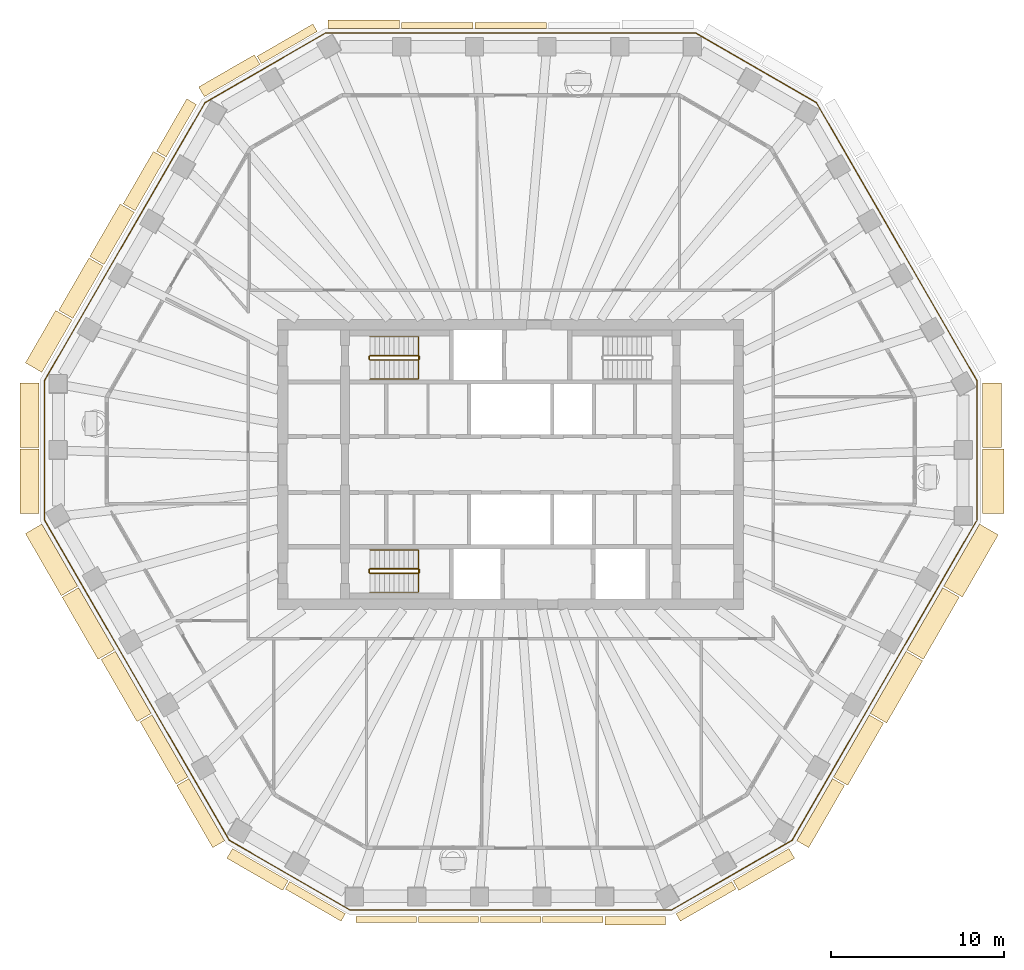
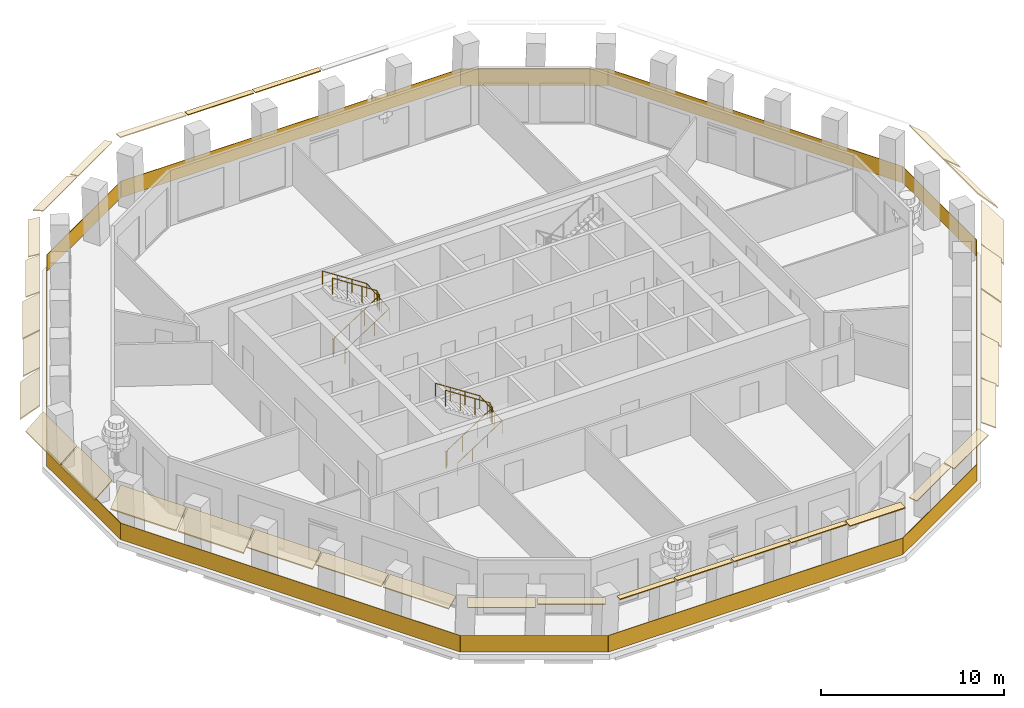
# One storey, part 9 of 12: 33 coverings, 5 railings.
"""IFC4 building model written with IfcOpenShell, lengths in metres."""

from ifc_helpers import new_model, si_unit, direction, frame, origin, origin_2d, place, context, subcontext, project, spatial, polyline, rectangle, circle, outline, extrude, material, layer, layer_set, type_object, element, save


model = new_model("IFC4")

# Units and contexts
model_context = context("Model", 3, precision=1e-05, world=origin(), true_north=direction((0.0, 1.0)))
body_context = subcontext(model_context, "Body", "Model", "MODEL_VIEW")
ifc_project = project(units=[si_unit("LENGTHUNIT", "METRE"), si_unit("AREAUNIT", "SQUARE_METRE"), si_unit("VOLUMEUNIT", "CUBIC_METRE"), si_unit("PLANEANGLEUNIT", "RADIAN"), si_unit("MASSUNIT", "GRAM", prefix="KILO")], contexts=[model_context])

# Site, building, storey
site_placement = place(None, origin())
site = spatial("IfcSite", under=ifc_project, at=site_placement, CompositionType="ELEMENT")
building_placement = place(site_placement, origin())
building = spatial("IfcBuilding", under=site, at=building_placement, Name="Frailejon Research Tower", CompositionType="ELEMENT")
storey_placement = place(building_placement, frame((0.0, 0.0, 237.39990234375)))
storey = spatial("IfcBuildingStorey", under=building, at=storey_placement, Name="L51", CompositionType="ELEMENT", Elevation=237.39990234375)

# Coverings
ifc_material_1 = material(Name="Precast concrete C50/60", Category="concrete")
ifc_layer_1 = layer(ifc_material_1, 0.06005859375)
ifc_layer_set_1 = layer_set([ifc_layer_1], Name="Brim blade depth 1100")
covering_type_1 = type_object("IfcCoveringType", Name="Brim blade depth 1100", PredefinedType="CLADDING", material=ifc_layer_set_1)
covering_1_placement = place(storey_placement, frame((27.32861328125, 4.719482421875, 3.85009765625), z_axis=(0.0, -1.0, 0.0), x_axis=(1.0, 0.0, 0.0)))
element("IfcCovering", 1, at=covering_1_placement, inside=storey, type_object=covering_type_1, Name="Brim blade L51", PredefinedType="CLADDING", context=body_context, shape_type="SweptSolid", body=[
    extrude(outline(polyline([(0.0, -0.078369140625), (1.10009765625, -1.001220703125), (1.10009765625, -0.923095703125), (0.0, 0.0), (0.0, -0.078369140625)])), origin(), (0.0, 0.0, 1.0), 3.726806640625),
])
covering_2_placement = place(storey_placement, frame((-27.1630859375, 5.337890625, 3.85009765625), z_axis=(0.500001099119, 0.866024769207, 0.0), x_axis=(-0.866024769207, 0.500001099119, 0.0)))
element("IfcCovering", 2, at=covering_2_placement, inside=storey, type_object=covering_type_1, Name="Brim blade L51", PredefinedType="CLADDING", context=body_context, shape_type="SweptSolid", body=[
    extrude(outline(polyline([(0.0, -0.078369140625), (1.10009765625, -1.001220703125), (1.10009765625, -0.923095703125), (0.0, 0.0), (0.0, -0.078369140625)])), origin(), (0.0, 0.0, 1.0), 3.503662109375),
])
for number, where, z_axis, x_axis, name in (
    (3, (-27.32861328125, 0.992919921875, 3.85009765625), (0.0, 1.0, 0.0), (-1.0, 0.0, 0.0), "Brim blade L51"),
    (4, (-27.32861328125, -2.833984375, 3.85009765625), (0.0, 1.0, 0.0), (-1.0, 0.0, 0.0), "Brim blade L51"),
):
    element("IfcCovering", number, at=place(storey_placement, frame(where, z_axis=z_axis, x_axis=x_axis)), inside=storey, type_object=covering_type_1, Name=name, PredefinedType="CLADDING", context=body_context, shape_type="SweptSolid", body=[
        extrude(outline(polyline([(0.0, -0.078369140625), (1.10009765625, -1.001220703125), (1.10009765625, -0.923095703125), (0.0, 0.0), (0.0, -0.078369140625)])), origin(), (0.0, 0.0, 1.0), 3.726806640625),
    ])
for number, where, z_axis, x_axis, name in (
    (5, (-25.084716796875, -7.052001953125, 3.85009765625), (-0.499982069002, 0.866035756003, 0.0), (-0.866035756003, -0.499982069002, 0.0), "Brim blade L51"),
    (6, (-22.956298828125, -10.738525390625, 3.85009765625), (-0.500009861199, 0.866019710344, 0.0), (-0.866019710344, -0.500009861199, 0.0), "Brim blade L51"),
    (7, (22.90625, -10.8251953125, 3.85009765625), (-0.500009861199, -0.866019710344, 0.0), (0.866019710344, -0.500009861199, 0.0), "Brim blade L51"),
    (8, (25.03466796875, -7.138671875, 3.85009765625), (-0.500009861199, -0.866019710344, 0.0), (0.866019710344, -0.500009861199, 0.0), "Brim blade L51"),
):
    element("IfcCovering", number, at=place(storey_placement, frame(where, z_axis=z_axis, x_axis=x_axis)), inside=storey, type_object=covering_type_1, Name=name, PredefinedType="CLADDING", context=body_context, shape_type="SweptSolid", body=[
        extrude(outline(polyline([(0.0, -0.078369140625), (1.10009765625, -1.001220703125), (1.10009765625, -0.923095703125), (0.0, 0.0), (0.0, -0.078369140625)])), origin(), (0.0, 0.0, 1.0), 4.15673828125),
    ])
ifc_material_2 = material(Name="Precast concrete C50/60", Category="concrete")
ifc_layer_2 = layer(ifc_material_2, 0.06005859375)
ifc_layer_set_2 = layer_set([ifc_layer_2], Name="Brim blade depth 1250")
covering_type_2 = type_object("IfcCoveringType", Name="Brim blade depth 1250", PredefinedType="CLADDING", material=ifc_layer_set_2)
covering_3_placement = place(storey_placement, frame((27.32861328125, 0.892822265625, 3.85009765625), z_axis=(0.0, -1.0, 0.0), x_axis=(1.0, 0.0, 0.0)))
element("IfcCovering", 9, at=covering_3_placement, inside=storey, type_object=covering_type_2, Name="Brim blade L51", PredefinedType="CLADDING", context=body_context, shape_type="SweptSolid", body=[
    extrude(outline(polyline([(0.0, -0.0888671875), (1.25, -1.452880859375), (1.25, -1.364013671875), (0.0, 0.0), (0.0, -0.0888671875)])), origin(), (0.0, 0.0, 1.0), 3.726806640625),
])
covering_4_placement = place(storey_placement, frame((27.1630859375, -3.4521484375, 3.85009765625), z_axis=(-0.499982069002, -0.866035756003, 0.0), x_axis=(0.866035756003, -0.499982069002, 0.0)))
element("IfcCovering", 10, at=covering_4_placement, inside=storey, type_object=covering_type_2, Name="Brim blade L51", PredefinedType="CLADDING", context=body_context, shape_type="SweptSolid", body=[
    extrude(outline(polyline([(0.0, -0.0888671875), (1.25, -1.452880859375), (1.25, -1.364013671875), (0.0, 0.0), (0.0, -0.0888671875)])), origin(), (0.0, 0.0, 1.0), 4.15673828125),
])
ifc_material_3 = material(Name="Precast concrete C50/60", Category="concrete")
ifc_layer_3 = layer(ifc_material_3, 0.06005859375)
ifc_layer_set_3 = layer_set([ifc_layer_3], Name="Brim blade depth 350")
covering_type_3 = type_object("IfcCoveringType", Name="Brim blade depth 350", PredefinedType="CLADDING", material=ifc_layer_set_3)
for number, where, z_axis, x_axis, name in (
    (11, (-2.078369140625, 25.25, 3.85009765625), (1.0, 0.0, 0.0), (0.0, 1.0, 0.0), "Brim blade L51"),
    (12, (-6.335205078125, 25.25, 3.85009765625), (1.0, 0.0, 0.0), (0.0, 1.0, 0.0), "Brim blade L51"),
):
    element("IfcCovering", number, at=place(storey_placement, frame(where, z_axis=z_axis, x_axis=x_axis)), inside=storey, type_object=covering_type_3, Name=name, PredefinedType="CLADDING", context=body_context, shape_type="SweptSolid", body=[
        extrude(outline(polyline([(0.0, -0.06005859375), (0.35009765625, -0.06005859375), (0.35009765625, 0.0), (0.0, 0.0), (0.0, -0.06005859375)])), origin(), (0.0, 0.0, 1.0), 4.15673828125),
    ])
for number, where, z_axis, x_axis, name in (
    (13, (-5.455322265625, -26.19287109375, 3.85009765625), (-1.0, 0.0, 0.0), (0.0, -1.0, 0.0), "Brim blade L51"),
    (14, (-1.851806640625, -26.19287109375, 3.85009765625), (-1.0, 0.0, 0.0), (0.0, -1.0, 0.0), "Brim blade L51"),
):
    element("IfcCovering", number, at=place(storey_placement, frame(where, z_axis=z_axis, x_axis=x_axis)), inside=storey, type_object=covering_type_3, Name=name, PredefinedType="CLADDING", context=body_context, shape_type="SweptSolid", body=[
        extrude(outline(polyline([(0.0, -0.06005859375), (0.35009765625, -0.06005859375), (0.35009765625, 0.0), (0.0, 0.0), (0.0, -0.06005859375)])), origin(), (0.0, 0.0, 1.0), 3.50341796875),
    ])
covering_5_placement = place(storey_placement, frame((1.751708984375, -26.19287109375, 3.85009765625), z_axis=(-1.0, 0.0, 0.0), x_axis=(0.0, -1.0, 0.0)))
element("IfcCovering", 15, at=covering_5_placement, inside=storey, type_object=covering_type_3, Name="Brim blade L51", PredefinedType="CLADDING", context=body_context, shape_type="SweptSolid", body=[
    extrude(outline(polyline([(0.0, -0.06005859375), (0.35009765625, -0.06005859375), (0.35009765625, 0.0), (0.0, 0.0), (0.0, -0.06005859375)])), origin(), (0.0, 0.0, 1.0), 3.503662109375),
])
covering_6_placement = place(storey_placement, frame((5.355224609375, -26.19287109375, 3.85009765625), z_axis=(-1.0, 0.0, 0.0), x_axis=(0.0, -1.0, 0.0)))
element("IfcCovering", 16, at=covering_6_placement, inside=storey, type_object=covering_type_3, Name="Brim blade L51", PredefinedType="CLADDING", context=body_context, shape_type="SweptSolid", body=[
    extrude(outline(polyline([(0.0, -0.06005859375), (0.35009765625, -0.06005859375), (0.35009765625, 0.0), (0.0, 0.0), (0.0, -0.06005859375)])), origin(), (0.0, 0.0, 1.0), 3.50341796875),
])
ifc_material_4 = material(Name="Precast concrete C50/60", Category="concrete")
ifc_layer_4 = layer(ifc_material_4, 0.06005859375)
ifc_layer_set_4 = layer_set([ifc_layer_4], Name="Brim blade depth 500")
covering_type_4 = type_object("IfcCoveringType", Name="Brim blade depth 500", PredefinedType="CLADDING", material=ifc_layer_set_4)
covering_7_placement = place(storey_placement, frame((-10.591796875, 25.25, 3.85009765625), z_axis=(1.0, 0.0, 0.0), x_axis=(0.0, 1.0, 0.0)))
element("IfcCovering", 17, at=covering_7_placement, inside=storey, type_object=covering_type_4, Name="Brim blade L51", PredefinedType="CLADDING", context=body_context, shape_type="SweptSolid", body=[
    extrude(outline(polyline([(0.0, -0.060546875), (0.5, -0.130859375), (0.5, -0.0703125), (0.0, 0.0), (0.0, -0.060546875)])), origin(), (0.0, 0.0, 1.0), 4.15673828125),
])
for number, where, z_axis, x_axis, name in (
    (18, (-14.4375, 23.220947265625, 3.85009765625), (0.866018477835, 0.500011995905, 0.0), (-0.500011995905, 0.866018477835, 0.0), "Brim blade L51"),
    (19, (-9.5771484375, -26.027099609375, 3.85009765625), (-0.866025010706, 0.50000068083, 0.0), (-0.50000068083, -0.866025010706, 0.0), "Brim blade L51"),
):
    element("IfcCovering", number, at=place(storey_placement, frame(where, z_axis=z_axis, x_axis=x_axis)), inside=storey, type_object=covering_type_4, Name=name, PredefinedType="CLADDING", context=body_context, shape_type="SweptSolid", body=[
        extrude(outline(polyline([(0.0, -0.060546875), (0.5, -0.130859375), (0.5, -0.0703125), (0.0, 0.0), (0.0, -0.060546875)])), origin(), (0.0, 0.0, 1.0), 3.726806640625),
    ])
covering_8_placement = place(storey_placement, frame((8.958740234375, -26.19287109375, 3.85009765625), z_axis=(-1.0, 0.0, 0.0), x_axis=(0.0, -1.0, 0.0)))
element("IfcCovering", 20, at=covering_8_placement, inside=storey, type_object=covering_type_4, Name="Brim blade L51", PredefinedType="CLADDING", context=body_context, shape_type="SweptSolid", body=[
    extrude(outline(polyline([(0.0, -0.060546875), (0.5, -0.130859375), (0.5, -0.0703125), (0.0, 0.0), (0.0, -0.060546875)])), origin(), (0.0, 0.0, 1.0), 3.50341796875),
])
covering_9_placement = place(storey_placement, frame((12.8046875, -24.163818359375, 3.85009765625), z_axis=(-0.866025010706, -0.50000068083, 0.0), x_axis=(0.50000068083, -0.866025010706, 0.0)))
element("IfcCovering", 21, at=covering_9_placement, inside=storey, type_object=covering_type_4, Name="Brim blade L51", PredefinedType="CLADDING", context=body_context, shape_type="SweptSolid", body=[
    extrude(outline(polyline([(0.0, -0.060546875), (0.5, -0.130859375), (0.5, -0.0703125), (0.0, 0.0), (0.0, -0.060546875)])), origin(), (0.0, 0.0, 1.0), 3.726806640625),
])
ifc_material_5 = material(Name="Precast concrete C50/60", Category="concrete")
ifc_layer_5 = layer(ifc_material_5, 0.06005859375)
ifc_layer_set_5 = layer_set([ifc_layer_5], Name="Brim blade depth 650")
covering_type_5 = type_object("IfcCoveringType", Name="Brim blade depth 650", PredefinedType="CLADDING", material=ifc_layer_set_5)
covering_10_placement = place(storey_placement, frame((-17.751708984375, 21.3076171875, 3.85009765625), z_axis=(0.866036325866, 0.499981081923, 0.0), x_axis=(-0.499981081923, 0.866036325866, 0.0)))
element("IfcCovering", 22, at=covering_10_placement, inside=storey, type_object=covering_type_5, Name="Brim blade L51", PredefinedType="CLADDING", context=body_context, shape_type="SweptSolid", body=[
    extrude(outline(polyline([(0.0, -0.0625), (0.64990234375, -0.248779296875), (0.64990234375, -0.186279296875), (0.0, 0.0), (0.0, -0.0625)])), origin(), (0.0, 0.0, 1.0), 3.726806640625),
])
covering_11_placement = place(storey_placement, frame((-19.955810546875, 17.82080078125, 3.85009765625), z_axis=(0.49998028616, 0.866036785276, 0.0), x_axis=(-0.866036785276, 0.49998028616, 0.0)))
element("IfcCovering", 23, at=covering_11_placement, inside=storey, type_object=covering_type_5, Name="Brim blade L51", PredefinedType="CLADDING", context=body_context, shape_type="SweptSolid", body=[
    extrude(outline(polyline([(0.0, -0.0625), (0.64990234375, -0.248779296875), (0.64990234375, -0.186279296875), (0.0, 0.0), (0.0, -0.0625)])), origin(), (0.0, 0.0, 1.0), 3.50341796875),
])
for number, where, z_axis, x_axis, name in (
    (24, (-12.89111328125, -24.11376953125, 3.85009765625), (-0.866029793251, 0.499992397145, 0.0), (-0.499992397145, -0.866029793251, 0.0), "Brim blade L51"),
    (25, (16.11865234375, -22.25048828125, 3.85009765625), (-0.866029793251, -0.499992397145, 0.0), (0.499992397145, -0.866029793251, 0.0), "Brim blade L51"),
):
    element("IfcCovering", number, at=place(storey_placement, frame(where, z_axis=z_axis, x_axis=x_axis)), inside=storey, type_object=covering_type_5, Name=name, PredefinedType="CLADDING", context=body_context, shape_type="SweptSolid", body=[
        extrude(outline(polyline([(0.0, -0.0625), (0.64990234375, -0.248779296875), (0.64990234375, -0.186279296875), (0.0, 0.0), (0.0, -0.0625)])), origin(), (0.0, 0.0, 1.0), 3.726806640625),
    ])
ifc_material_6 = material(Name="Precast concrete C50/60", Category="concrete")
ifc_layer_6 = layer(ifc_material_6, 0.06005859375)
ifc_layer_set_6 = layer_set([ifc_layer_6], Name="Brim blade depth 800")
covering_type_6 = type_object("IfcCoveringType", Name="Brim blade depth 800", PredefinedType="CLADDING", material=ifc_layer_set_6)
covering_12_placement = place(storey_placement, frame((-21.7578125, 14.7001953125, 3.85009765625), z_axis=(0.500013114872, 0.866017831777, 0.0), x_axis=(-0.866017831777, 0.500013114872, 0.0)))
element("IfcCovering", 26, at=covering_12_placement, inside=storey, type_object=covering_type_6, Name="Brim blade L51", PredefinedType="CLADDING", context=body_context, shape_type="SweptSolid", body=[
    extrude(outline(polyline([(0.0, -0.065673828125), (0.800048828125, -0.421875), (0.800048828125, -0.356201171875), (0.0, 0.0), (0.0, -0.065673828125)])), origin(), (0.0, 0.0, 1.0), 3.50341796875),
])
for number, where, z_axis, x_axis, name in (
    (27, (-18.69970703125, -18.111328125, 3.85009765625), (-0.499992241923, 0.866029882866, 0.0), (-0.866029882866, -0.499992241923, 0.0), "Brim blade L51"),
    (28, (-16.5712890625, -21.7978515625, 3.85009765625), (-0.499999688714, 0.866025583505, 0.0), (-0.866025583505, -0.499999688714, 0.0), "Brim blade L51"),
    (29, (18.649658203125, -18.197998046875, 3.85009765625), (-0.499999688714, -0.866025583505, 0.0), (0.866025583505, -0.499999688714, 0.0), "Brim blade L51"),
):
    element("IfcCovering", number, at=place(storey_placement, frame(where, z_axis=z_axis, x_axis=x_axis)), inside=storey, type_object=covering_type_6, Name=name, PredefinedType="CLADDING", context=body_context, shape_type="SweptSolid", body=[
        extrude(outline(polyline([(0.0, -0.065673828125), (0.800048828125, -0.421875), (0.800048828125, -0.356201171875), (0.0, 0.0), (0.0, -0.065673828125)])), origin(), (0.0, 0.0, 1.0), 4.15673828125),
    ])
ifc_material_7 = material(Name="Precast concrete C50/60", Category="concrete")
ifc_layer_7 = layer(ifc_material_7, 0.06005859375)
ifc_layer_set_7 = layer_set([ifc_layer_7], Name="Brim blade depth 950")
covering_type_7 = type_object("IfcCoveringType", Name="Brim blade depth 950", PredefinedType="CLADDING", material=ifc_layer_set_7)
covering_13_placement = place(storey_placement, frame((-23.5595703125, 11.579345703125, 3.85009765625), z_axis=(0.500001099119, 0.866024769207, 0.0), x_axis=(-0.866024769207, 0.500001099119, 0.0)))
element("IfcCovering", 30, at=covering_13_placement, inside=storey, type_object=covering_type_7, Name="Brim blade L51", PredefinedType="CLADDING", context=body_context, shape_type="SweptSolid", body=[
    extrude(outline(polyline([(0.0, -0.07080078125), (0.949951171875, -0.664306640625), (0.949951171875, -0.593505859375), (0.0, 0.0), (0.0, -0.07080078125)])), origin(), (0.0, 0.0, 1.0), 3.503662109375),
])
covering_14_placement = place(storey_placement, frame((-25.361083984375, 8.45849609375, 3.85009765625), z_axis=(0.499992302078, 0.866029848136, 0.0), x_axis=(-0.866029848136, 0.499992302078, 0.0)))
element("IfcCovering", 31, at=covering_14_placement, inside=storey, type_object=covering_type_7, Name="Brim blade L51", PredefinedType="CLADDING", context=body_context, shape_type="SweptSolid", body=[
    extrude(outline(polyline([(0.0, -0.07080078125), (0.949951171875, -0.664306640625), (0.949951171875, -0.593505859375), (0.0, 0.0), (0.0, -0.07080078125)])), origin(), (0.0, 0.0, 1.0), 3.50341796875),
])
for number, where, z_axis, x_axis, name in (
    (32, (-20.827880859375, -14.4248046875, 3.85009765625), (-0.500009861199, 0.866019710344, 0.0), (-0.866019710344, -0.500009861199, 0.0), "Brim blade L51"),
    (33, (20.77783203125, -14.511474609375, 3.85009765625), (-0.499992241923, -0.866029882866, 0.0), (0.866029882866, -0.499992241923, 0.0), "Brim blade L51"),
):
    element("IfcCovering", number, at=place(storey_placement, frame(where, z_axis=z_axis, x_axis=x_axis)), inside=storey, type_object=covering_type_7, Name=name, PredefinedType="CLADDING", context=body_context, shape_type="SweptSolid", body=[
        extrude(outline(polyline([(0.0, -0.07080078125), (0.949951171875, -0.664306640625), (0.949951171875, -0.593505859375), (0.0, 0.0), (0.0, -0.07080078125)])), origin(), (0.0, 0.0, 1.0), 4.15673828125),
    ])

# Railings
ifc_material_8 = material(Name="Laminated glass balustrade", Category="glass")
railing_type_1 = type_object("IfcRailingType", Name="Glass guard 1100", PredefinedType="GUARDRAIL", material=ifc_material_8)
railing_1_placement = place(storey_placement, frame((27.0087890625, -3.224609375, 0.0)))
element("IfcRailing", 34, at=railing_1_placement, inside=storey, type_object=railing_type_1, Name="Loggia guard L51", PredefinedType="GUARDRAIL", context=body_context, shape_type="SweptSolid", body=[
    extrude(rectangle(XDim=8.08349609375, YDim=0.030029296875, at=origin_2d()), frame((0.0, 4.041748046875, 0.0), z_axis=(0.0, 0.0, 1.0), x_axis=(0.0, 1.0, 0.0)), (0.0, 0.0, 1.0), 1.10009765625),
    extrude(rectangle(XDim=18.5927734375, YDim=0.030029296875, at=origin_2d()), frame((-4.6484375, 16.13427734375, 0.0), z_axis=(0.0, 0.0, 1.0), x_axis=(-0.500010022386, 0.86601961728, 0.0)), (0.0, 0.0, 1.0), 1.10009765625),
    extrude(rectangle(XDim=8.08349609375, YDim=0.030029296875, at=origin_2d()), frame((-12.796875, 26.206298828125, 0.0), z_axis=(0.0, 0.0, 1.0), x_axis=(-0.866011562111, 0.500023973715, 0.0)), (0.0, 0.0, 1.0), 1.10009765625),
    extrude(rectangle(XDim=21.42333984375, YDim=0.030029296875, at=origin_2d()), frame((-27.0087890625, 28.227294921875, 0.0), z_axis=(0.0, 0.0, 1.0), x_axis=(-1.0, 0.0, 0.0)), (0.0, 0.0, 1.0), 1.10009765625),
    extrude(rectangle(XDim=8.08349609375, YDim=0.030029296875, at=origin_2d()), frame((-41.220703125, 26.206298828125, 0.0), z_axis=(0.0, 0.0, 1.0), x_axis=(-0.866011562111, -0.500023973715, 0.0)), (0.0, 0.0, 1.0), 1.10009765625),
    extrude(rectangle(XDim=18.5927734375, YDim=0.030029296875, at=origin_2d()), frame((-49.369140625, 16.13427734375, 0.0), z_axis=(0.0, 0.0, 1.0), x_axis=(-0.500010022386, -0.86601961728, 0.0)), (0.0, 0.0, 1.0), 1.10009765625),
    extrude(rectangle(XDim=8.08349609375, YDim=0.030029296875, at=origin_2d()), frame((-54.017578125, 4.041748046875, 0.0), z_axis=(0.0, 0.0, 1.0), x_axis=(0.0, -1.0, 0.0)), (0.0, 0.0, 1.0), 1.10009765625),
    extrude(rectangle(XDim=21.42333984375, YDim=0.030029296875, at=origin_2d()), frame((-48.66162109375, -9.276611328125, 0.0), z_axis=(0.0, 0.0, 1.0), x_axis=(0.49999866362, -0.866026175342, 0.0)), (0.0, 0.0, 1.0), 1.10009765625),
    extrude(rectangle(XDim=8.083740234375, YDim=0.030029296875, at=origin_2d()), frame((-39.8056640625, -20.57421875, 0.0), z_axis=(0.0, 0.0, 1.0), x_axis=(0.866032190624, -0.499988244665, 0.0)), (0.0, 0.0, 1.0), 1.10009765625),
    extrude(rectangle(XDim=18.5927734375, YDim=0.030029296875, at=origin_2d()), frame((-27.0087890625, -22.594970703125, 0.0), z_axis=(0.0, 0.0, 1.0), x_axis=(1.0, 0.0, 0.0)), (0.0, 0.0, 1.0), 1.10009765625),
    extrude(rectangle(XDim=8.083740234375, YDim=0.030029296875, at=origin_2d()), frame((-14.2119140625, -20.57421875, 0.0), z_axis=(0.0, 0.0, 1.0), x_axis=(0.866032190624, 0.499988244665, 0.0)), (0.0, 0.0, 1.0), 1.10009765625),
    extrude(rectangle(XDim=21.353271484375, YDim=0.030029296875, at=origin_2d()), frame((-5.37353515625, -9.30712890625, 0.0), z_axis=(0.0, 0.0, 1.0), x_axis=(0.49999660306, 0.866027365, 0.0)), (0.0, 0.0, 1.0), 1.10009765625),
])
ifc_material_9 = material(Name="Stainless steel", Category="steel")
railing_type_2 = type_object("IfcRailingType", Name="Stair guard 1100", PredefinedType="GUARDRAIL", material=ifc_material_9)
railing_2_placement = place(storey_placement, frame((-8.199951171875, 6.25, 0.0)))
element("IfcRailing", 35, at=railing_2_placement, inside=storey, type_object=railing_type_2, Name="L51 ST1 stair guard 1", PredefinedType="GUARDRAIL", context=body_context, shape_type="SweptSolid", body=[
    extrude(circle(Radius=0.02392578125, at=origin_2d()), frame((0.0, 0.0, 1.076171875), z_axis=(0.0, -1.0, 0.0), x_axis=(1.0, 0.0, 0.0)), (0.0, 0.0, 1.0), 0.14990234375),
    extrude(circle(Radius=0.02392578125, at=origin_2d()), frame((0.0, -0.14990234375, 1.076171875), z_axis=(0.256435381639, -0.256435381639, 0.931923704005), x_axis=(0.707106781187, 0.707106781187, 0.0)), (0.0, 0.0, 1.0), 0.195068359375),
    extrude(circle(Radius=0.02392578125, at=origin_2d()), frame((0.050048828125, -0.199951171875, 1.2578125), z_axis=(0.83868413941, 0.0, 0.544618136222), x_axis=(0.0, 1.0, 0.0)), (0.0, 0.0, 1.0), 3.33837890625),
    extrude(circle(Radius=0.02392578125, at=origin_2d()), frame((2.849853515625, -0.199951171875, 3.076171875), z_axis=(0.707106781187, 0.707106781187, 0.0), x_axis=(-0.707106781187, 0.707106781187, 0.0)), (0.0, 0.0, 1.0), 0.07080078125),
    extrude(circle(Radius=0.02392578125, at=origin_2d()), frame((2.89990234375, -0.14990234375, 3.076171875), z_axis=(0.0, 1.0, 0.0), x_axis=(-1.0, 0.0, 0.0)), (0.0, 0.0, 1.0), 0.14990234375),
    extrude(circle(Radius=0.02392578125, at=origin_2d()), frame((2.89990234375, 0.0, 3.076171875), z_axis=(-0.256435381639, 0.256435381639, 0.931923704005), x_axis=(-0.707106781187, -0.707106781187, 0.0)), (0.0, 0.0, 1.0), 0.195068359375),
    extrude(circle(Radius=0.02392578125, at=origin_2d()), frame((2.849853515625, 0.050048828125, 3.2578125), z_axis=(-0.83868413941, 0.0, 0.544618136222), x_axis=(0.0, -1.0, 0.0)), (0.0, 0.0, 1.0), 3.33837890625),
    extrude(circle(Radius=0.02099609375, at=origin_2d()), origin(), (0.0, 0.0, 1.0), 1.052001953125),
    extrude(circle(Radius=0.02099609375, at=origin_2d()), frame((0.0, -0.14990234375, 0.0)), (0.0, 0.0, 1.0), 1.052001953125),
    extrude(circle(Radius=0.02099609375, at=origin_2d()), frame((0.050048828125, -0.199951171875, 0.181884765625)), (0.0, 0.0, 1.0), 1.052001953125),
    extrude(circle(Radius=0.02099609375, at=origin_2d()), frame((0.9833984375, -0.199951171875, 0.787841796875)), (0.0, 0.0, 1.0), 1.052001953125),
    extrude(circle(Radius=0.02099609375, at=origin_2d()), frame((1.91650390625, -0.199951171875, 1.39404296875)), (0.0, 0.0, 1.0), 1.052001953125),
    extrude(circle(Radius=0.02099609375, at=origin_2d()), frame((2.849853515625, -0.199951171875, 2.0)), (0.0, 0.0, 1.0), 1.052001953125),
    extrude(circle(Radius=0.02099609375, at=origin_2d()), frame((2.89990234375, -0.14990234375, 2.0)), (0.0, 0.0, 1.0), 1.052001953125),
    extrude(circle(Radius=0.02099609375, at=origin_2d()), frame((2.89990234375, 0.0, 2.0)), (0.0, 0.0, 1.0), 1.052001953125),
    extrude(circle(Radius=0.02099609375, at=origin_2d()), frame((2.849853515625, 0.050048828125, 2.181884765625)), (0.0, 0.0, 1.0), 1.052001953125),
    extrude(circle(Radius=0.02099609375, at=origin_2d()), frame((1.91650390625, 0.050048828125, 2.787841796875)), (0.0, 0.0, 1.0), 1.052001953125),
    extrude(circle(Radius=0.02099609375, at=origin_2d()), frame((0.9833984375, 0.050048828125, 3.39404296875)), (0.0, 0.0, 1.0), 1.052001953125),
    extrude(circle(Radius=0.02099609375, at=origin_2d()), frame((0.050048828125, 0.050048828125, 4.0)), (0.0, 0.0, 1.0), 1.052001953125),
])
railing_3_placement = place(storey_placement, frame((-8.199951171875, -6.10009765625, 0.0)))
element("IfcRailing", 36, at=railing_3_placement, inside=storey, type_object=railing_type_2, Name="L51 ST2 stair guard 1", PredefinedType="GUARDRAIL", context=body_context, shape_type="SweptSolid", body=[
    extrude(circle(Radius=0.02392578125, at=origin_2d()), frame((0.0, 0.0, 1.076171875), z_axis=(0.0, -1.0, 0.0), x_axis=(1.0, 0.0, 0.0)), (0.0, 0.0, 1.0), 0.14990234375),
    extrude(circle(Radius=0.02392578125, at=origin_2d()), frame((0.0, -0.14990234375, 1.076171875), z_axis=(0.256435381639, -0.256435381639, 0.931923704005), x_axis=(0.707106781187, 0.707106781187, 0.0)), (0.0, 0.0, 1.0), 0.195068359375),
    extrude(circle(Radius=0.02392578125, at=origin_2d()), frame((0.050048828125, -0.199951171875, 1.2578125), z_axis=(0.83868413941, 0.0, 0.544618136222), x_axis=(0.0, 1.0, 0.0)), (0.0, 0.0, 1.0), 3.33837890625),
    extrude(circle(Radius=0.02392578125, at=origin_2d()), frame((2.849853515625, -0.199951171875, 3.076171875), z_axis=(0.707106781187, 0.707106781187, 0.0), x_axis=(-0.707106781187, 0.707106781187, 0.0)), (0.0, 0.0, 1.0), 0.07080078125),
    extrude(circle(Radius=0.02392578125, at=origin_2d()), frame((2.89990234375, -0.14990234375, 3.076171875), z_axis=(0.0, 1.0, 0.0), x_axis=(-1.0, 0.0, 0.0)), (0.0, 0.0, 1.0), 0.14990234375),
    extrude(circle(Radius=0.02392578125, at=origin_2d()), frame((2.89990234375, 0.0, 3.076171875), z_axis=(-0.256435381639, 0.256435381639, 0.931923704005), x_axis=(-0.707106781187, -0.707106781187, 0.0)), (0.0, 0.0, 1.0), 0.195068359375),
    extrude(circle(Radius=0.02392578125, at=origin_2d()), frame((2.849853515625, 0.050048828125, 3.2578125), z_axis=(-0.83868413941, 0.0, 0.544618136222), x_axis=(0.0, -1.0, 0.0)), (0.0, 0.0, 1.0), 3.33837890625),
    extrude(circle(Radius=0.02099609375, at=origin_2d()), origin(), (0.0, 0.0, 1.0), 1.052001953125),
    extrude(circle(Radius=0.02099609375, at=origin_2d()), frame((0.0, -0.14990234375, 0.0)), (0.0, 0.0, 1.0), 1.052001953125),
    extrude(circle(Radius=0.02099609375, at=origin_2d()), frame((0.050048828125, -0.199951171875, 0.181884765625)), (0.0, 0.0, 1.0), 1.052001953125),
    extrude(circle(Radius=0.02099609375, at=origin_2d()), frame((0.9833984375, -0.199951171875, 0.787841796875)), (0.0, 0.0, 1.0), 1.052001953125),
    extrude(circle(Radius=0.02099609375, at=origin_2d()), frame((1.91650390625, -0.199951171875, 1.39404296875)), (0.0, 0.0, 1.0), 1.052001953125),
    extrude(circle(Radius=0.02099609375, at=origin_2d()), frame((2.849853515625, -0.199951171875, 2.0)), (0.0, 0.0, 1.0), 1.052001953125),
    extrude(circle(Radius=0.02099609375, at=origin_2d()), frame((2.89990234375, -0.14990234375, 2.0)), (0.0, 0.0, 1.0), 1.052001953125),
    extrude(circle(Radius=0.02099609375, at=origin_2d()), frame((2.89990234375, 0.0, 2.0)), (0.0, 0.0, 1.0), 1.052001953125),
    extrude(circle(Radius=0.02099609375, at=origin_2d()), frame((2.849853515625, 0.050048828125, 2.181884765625)), (0.0, 0.0, 1.0), 1.052001953125),
    extrude(circle(Radius=0.02099609375, at=origin_2d()), frame((1.91650390625, 0.050048828125, 2.787841796875)), (0.0, 0.0, 1.0), 1.052001953125),
    extrude(circle(Radius=0.02099609375, at=origin_2d()), frame((0.9833984375, 0.050048828125, 3.39404296875)), (0.0, 0.0, 1.0), 1.052001953125),
    extrude(circle(Radius=0.02099609375, at=origin_2d()), frame((0.050048828125, 0.050048828125, 4.0)), (0.0, 0.0, 1.0), 1.052001953125),
])
ifc_material_10 = material(Name="Stainless steel", Category="steel")
railing_type_3 = type_object("IfcRailingType", Name="Stair handrail 900", PredefinedType="HANDRAIL", material=ifc_material_10)
railing_4_placement = place(storey_placement, frame((-8.14990234375, 4.949951171875, 0.181884765625)))
element("IfcRailing", 37, at=railing_4_placement, inside=storey, type_object=railing_type_3, Name="L51 ST1 stair handrail 1", PredefinedType="HANDRAIL", context=body_context, shape_type="SweptSolid", body=[
    extrude(circle(Radius=0.02392578125, at=origin_2d()), frame((0.0, 0.0, 0.8759765625), z_axis=(0.83868413941, 0.0, 0.544618136222), x_axis=(0.0, 1.0, 0.0)), (0.0, 0.0, 1.0), 3.33837890625),
    extrude(circle(Radius=0.02392578125, at=origin_2d()), frame((2.7998046875, 0.0, 2.69384765625), z_axis=(0.0, 0.997255538948, 0.074036410216), x_axis=(-1.0, 0.0, 0.0)), (0.0, 0.0, 1.0), 2.456787109375),
    extrude(circle(Radius=0.02392578125, at=origin_2d()), frame((2.7998046875, 2.449951171875, 2.8759765625), z_axis=(-0.83868413941, 0.0, 0.544618136222), x_axis=(0.0, -1.0, 0.0)), (0.0, 0.0, 1.0), 3.33837890625),
    extrude(circle(Radius=0.02099609375, at=origin_2d()), origin(), (0.0, 0.0, 1.0), 0.851806640625),
    extrude(circle(Radius=0.02099609375, at=origin_2d()), frame((0.933349609375, 0.0, 0.60595703125)), (0.0, 0.0, 1.0), 0.851806640625),
    extrude(circle(Radius=0.02099609375, at=origin_2d()), frame((1.866455078125, 0.0, 1.212158203125)), (0.0, 0.0, 1.0), 0.851806640625),
    extrude(circle(Radius=0.02099609375, at=origin_2d()), frame((2.7998046875, 0.0, 1.818115234375)), (0.0, 0.0, 1.0), 0.851806640625),
    extrude(circle(Radius=0.02099609375, at=origin_2d()), frame((2.7998046875, 0.816650390625, 1.878662109375)), (0.0, 0.0, 1.0), 0.851806640625),
    extrude(circle(Radius=0.02099609375, at=origin_2d()), frame((2.7998046875, 1.63330078125, 1.939453125)), (0.0, 0.0, 1.0), 0.851806640625),
    extrude(circle(Radius=0.02099609375, at=origin_2d()), frame((2.7998046875, 2.449951171875, 2.0)), (0.0, 0.0, 1.0), 0.851806640625),
    extrude(circle(Radius=0.02099609375, at=origin_2d()), frame((1.866455078125, 2.449951171875, 2.60595703125)), (0.0, 0.0, 1.0), 0.851806640625),
    extrude(circle(Radius=0.02099609375, at=origin_2d()), frame((0.933349609375, 2.449951171875, 3.212158203125)), (0.0, 0.0, 1.0), 0.851806640625),
    extrude(circle(Radius=0.02099609375, at=origin_2d()), frame((0.0, 2.449951171875, 3.818115234375)), (0.0, 0.0, 1.0), 0.851806640625),
])
railing_5_placement = place(storey_placement, frame((-8.14990234375, -7.39990234375, 0.181884765625)))
element("IfcRailing", 38, at=railing_5_placement, inside=storey, type_object=railing_type_3, Name="L51 ST2 stair handrail 1", PredefinedType="HANDRAIL", context=body_context, shape_type="SweptSolid", body=[
    extrude(circle(Radius=0.02392578125, at=origin_2d()), frame((0.0, 0.0, 0.8759765625), z_axis=(0.83868413941, 0.0, 0.544618136222), x_axis=(0.0, 1.0, 0.0)), (0.0, 0.0, 1.0), 3.33837890625),
    extrude(circle(Radius=0.02392578125, at=origin_2d()), frame((2.7998046875, 0.0, 2.69384765625), z_axis=(0.0, 0.997255538948, 0.074036410216), x_axis=(-1.0, 0.0, 0.0)), (0.0, 0.0, 1.0), 2.456787109375),
    extrude(circle(Radius=0.02392578125, at=origin_2d()), frame((2.7998046875, 2.449951171875, 2.8759765625), z_axis=(-0.83868413941, 0.0, 0.544618136222), x_axis=(0.0, -1.0, 0.0)), (0.0, 0.0, 1.0), 3.33837890625),
    extrude(circle(Radius=0.02099609375, at=origin_2d()), origin(), (0.0, 0.0, 1.0), 0.851806640625),
    extrude(circle(Radius=0.02099609375, at=origin_2d()), frame((0.933349609375, 0.0, 0.60595703125)), (0.0, 0.0, 1.0), 0.851806640625),
    extrude(circle(Radius=0.02099609375, at=origin_2d()), frame((1.866455078125, 0.0, 1.212158203125)), (0.0, 0.0, 1.0), 0.851806640625),
    extrude(circle(Radius=0.02099609375, at=origin_2d()), frame((2.7998046875, 0.0, 1.818115234375)), (0.0, 0.0, 1.0), 0.851806640625),
    extrude(circle(Radius=0.02099609375, at=origin_2d()), frame((2.7998046875, 0.816650390625, 1.878662109375)), (0.0, 0.0, 1.0), 0.851806640625),
    extrude(circle(Radius=0.02099609375, at=origin_2d()), frame((2.7998046875, 1.63330078125, 1.939453125)), (0.0, 0.0, 1.0), 0.851806640625),
    extrude(circle(Radius=0.02099609375, at=origin_2d()), frame((2.7998046875, 2.449951171875, 2.0)), (0.0, 0.0, 1.0), 0.851806640625),
    extrude(circle(Radius=0.02099609375, at=origin_2d()), frame((1.866455078125, 2.449951171875, 2.60595703125)), (0.0, 0.0, 1.0), 0.851806640625),
    extrude(circle(Radius=0.02099609375, at=origin_2d()), frame((0.933349609375, 2.449951171875, 3.212158203125)), (0.0, 0.0, 1.0), 0.851806640625),
    extrude(circle(Radius=0.02099609375, at=origin_2d()), frame((0.0, 2.449951171875, 3.818115234375)), (0.0, 0.0, 1.0), 0.851806640625),
])

save(model, "model.ifc")
